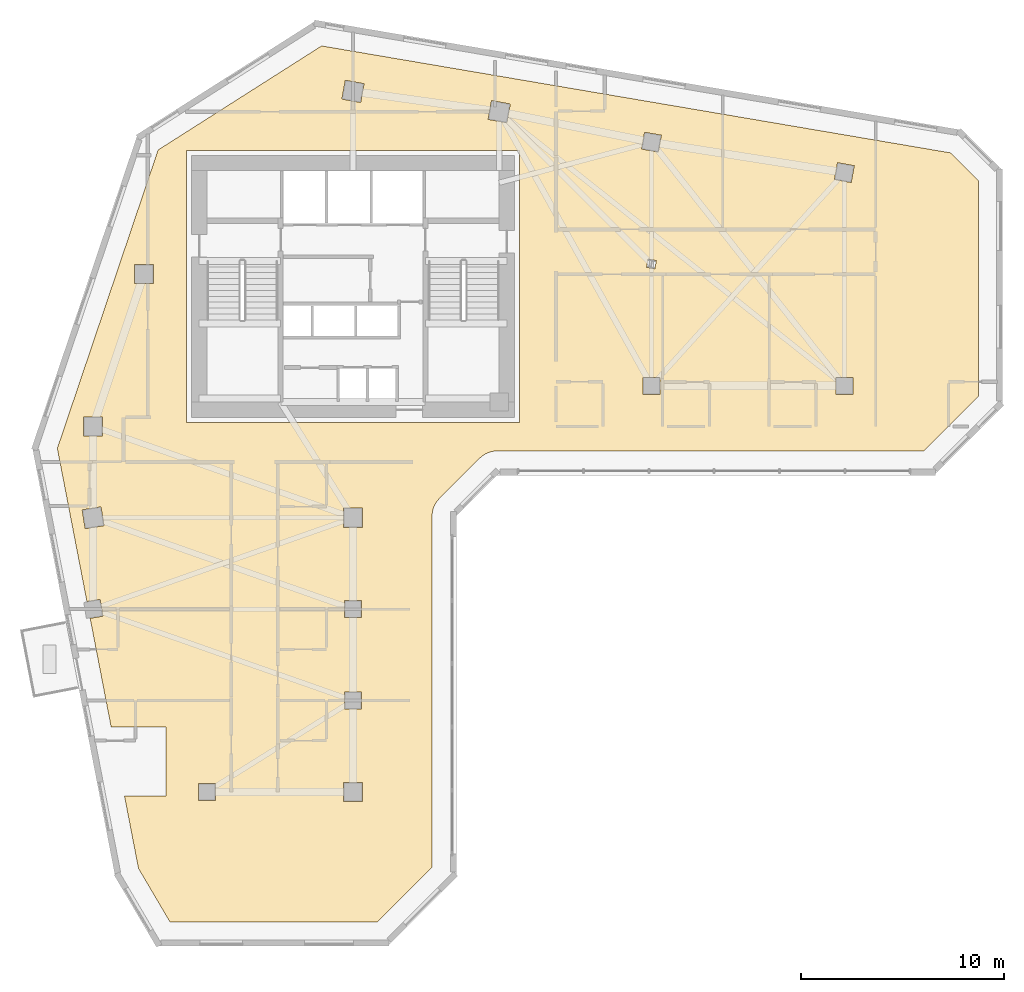
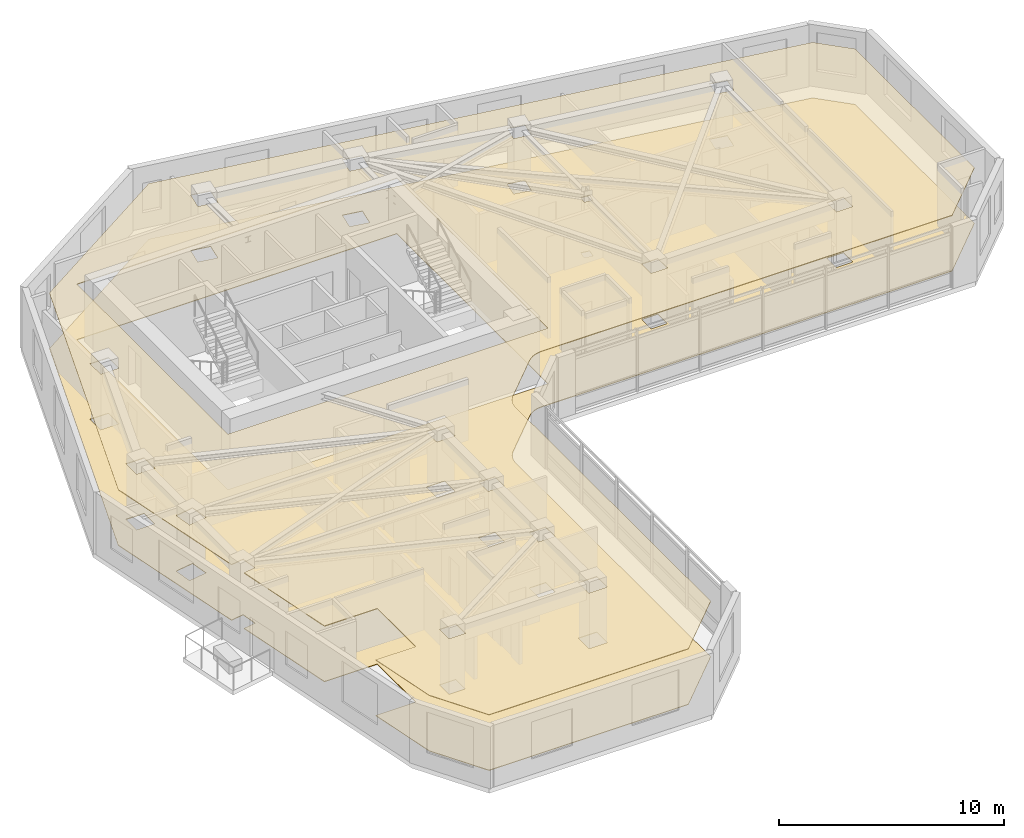
# One storey, part 11 of 12: 2 coverings.
"""IFC4 building model written with IfcOpenShell, lengths in metres."""

from ifc_helpers import new_model, si_unit, direction, frame, origin, place, context, subcontext, project, spatial, polyline, outline, extrude, material, layer, layer_set, type_object, element, save


model = new_model("IFC4")

# Units and contexts
model_context = context("Model", 3, precision=1e-05, world=origin(), true_north=direction((0.0, 1.0)))
body_context = subcontext(model_context, "Body", "Model", "MODEL_VIEW")
ifc_project = project(units=[si_unit("LENGTHUNIT", "METRE"), si_unit("AREAUNIT", "SQUARE_METRE"), si_unit("VOLUMEUNIT", "CUBIC_METRE"), si_unit("PLANEANGLEUNIT", "RADIAN"), si_unit("MASSUNIT", "GRAM", prefix="KILO")], contexts=[model_context])

# Site, building, storey
site_placement = place(None, origin())
site = spatial("IfcSite", under=ifc_project, at=site_placement, CompositionType="ELEMENT")
building_placement = place(site_placement, origin())
building = spatial("IfcBuilding", under=site, at=building_placement, Name="Calvemar Wedge Station Tower", CompositionType="ELEMENT")
storey_placement = place(building_placement, frame((0.0, 0.0, 121.39990234375)))
storey = spatial("IfcBuildingStorey", under=building, at=storey_placement, Name="L29", CompositionType="ELEMENT", Elevation=121.39990234375)

# Coverings
ifc_material_1 = material(Name="Acoustic mineral fibre ceiling board")
ifc_layer_1 = layer(ifc_material_1, 0.0400390625)
ifc_layer_set_1 = layer_set([ifc_layer_1], Name="Acoustic mineral fibre ceiling board")
covering_type_1 = type_object("IfcCoveringType", Name="COV-CEIL-ACOUSTIC", PredefinedType="CEILING", material=ifc_layer_set_1)
covering_1_placement = place(storey_placement, frame((0.0, 0.0, 3.0)))
element("IfcCovering", 1, at=covering_1_placement, inside=storey, type_object=covering_type_1, Name="Storey L29 Acoustic Suspended Ceiling", PredefinedType="CEILING", context=body_context, shape_type="SweptSolid", body=[
    extrude(outline(polyline([(28.047607421875, 29.4404296875), (30.047607421875, 31.4404296875), (30.134765625, 31.51953125), (30.229248046875, 31.58984375), (30.330322265625, 31.650390625), (30.436767578125, 31.70068359375), (30.547607421875, 31.740234375), (30.661865234375, 31.768798828125), (30.7783203125, 31.7861328125), (30.89599609375, 31.7919921875), (51.90283203125, 31.7919921875), (54.60009765625, 34.489013671875), (54.60009765625, 45.094970703125), (53.221923828125, 46.47314453125), (22.25439453125, 51.739501953125), (14.201416015625, 46.614990234375), (9.23828125, 31.91650390625), (10.695068359375, 24.37646484375), (11.348388671875, 24.481201171875), (11.481201171875, 23.651611328125), (10.8544921875, 23.55126953125), (11.888427734375, 18.199951171875), (14.60009765625, 18.199951171875), (14.60009765625, 14.800048828125), (12.54541015625, 14.800048828125), (13.235107421875, 11.23046875), (14.7822265625, 8.60009765625), (24.998779296875, 8.60009765625), (27.696044921875, 11.297119140625), (27.696044921875, 28.592041015625), (27.701904296875, 28.709716796875), (27.718994140625, 28.826171875), (27.747802734375, 28.940185546875), (27.787353515625, 29.05126953125), (27.837646484375, 29.15771484375), (27.898193359375, 29.2587890625), (27.968505859375, 29.353271484375), (28.047607421875, 29.4404296875)]), holes=[polyline([(15.60009765625, 46.60009765625), (32.0, 46.60009765625), (32.0, 33.199951171875), (15.60009765625, 33.199951171875), (15.60009765625, 46.60009765625)]), polyline([(10.530029296875, 32.530029296875), (10.530029296875, 33.469970703125), (11.469970703125, 33.469970703125), (11.469970703125, 32.530029296875), (10.530029296875, 32.530029296875)]), polyline([(13.030029296875, 40.969970703125), (13.969970703125, 40.969970703125), (13.969970703125, 40.030029296875), (13.030029296875, 40.030029296875), (13.030029296875, 40.969970703125)]), polyline([(24.345703125, 49.87939453125), (24.17919921875, 48.9541015625), (23.254150390625, 49.12060546875), (23.420654296875, 50.0458984375), (24.345703125, 49.87939453125)]), polyline([(31.37939453125, 47.9541015625), (30.4541015625, 48.12060546875), (30.62060546875, 49.0458984375), (31.5458984375, 48.87939453125), (31.37939453125, 47.9541015625)]), polyline([(38.01220703125, 46.660888671875), (38.160888671875, 47.48779296875), (38.98779296875, 47.339111328125), (38.839111328125, 46.51220703125), (38.01220703125, 46.660888671875)]), polyline([(47.660888671875, 45.98779296875), (48.48779296875, 45.839111328125), (48.339111328125, 45.01220703125), (47.51220703125, 45.160888671875), (47.660888671875, 45.98779296875)]), polyline([(38.919921875, 35.419921875), (38.919921875, 34.580078125), (38.080078125, 34.580078125), (38.080078125, 35.419921875), (38.919921875, 35.419921875)]), polyline([(48.419921875, 34.580078125), (47.580078125, 34.580078125), (47.580078125, 35.419921875), (48.419921875, 35.419921875), (48.419921875, 34.580078125)]), polyline([(38.259765625, 40.833984375), (38.332763671875, 41.239501953125), (38.740234375, 41.166015625), (38.667236328125, 40.760498046875), (38.259765625, 40.833984375)]), polyline([(11.389892578125, 29.038330078125), (11.538330078125, 28.110107421875), (10.610107421875, 27.961669921875), (10.461669921875, 28.889892578125), (11.389892578125, 29.038330078125)]), polyline([(24.27001953125, 28.030029296875), (23.330078125, 28.030029296875), (23.330078125, 28.969970703125), (24.27001953125, 28.969970703125), (24.27001953125, 28.030029296875)]), polyline([(23.3798828125, 23.580078125), (23.3798828125, 24.419921875), (24.219970703125, 24.419921875), (24.219970703125, 23.580078125), (23.3798828125, 23.580078125)]), polyline([(23.3798828125, 19.919921875), (24.219970703125, 19.919921875), (24.219970703125, 19.080078125), (23.3798828125, 19.080078125), (23.3798828125, 19.919921875)]), polyline([(24.27001953125, 15.469970703125), (24.27001953125, 14.530029296875), (23.330078125, 14.530029296875), (23.330078125, 15.469970703125), (24.27001953125, 15.469970703125)]), polyline([(17.02001953125, 14.580078125), (16.179931640625, 14.580078125), (16.179931640625, 15.419921875), (17.02001953125, 15.419921875), (17.02001953125, 14.580078125)])]), origin(), (0.0, 0.0, 1.0), 0.0400390625),
])
ifc_material_2 = material(Name="Honed coastal granite stone tile", Category="masonry")
ifc_layer_2 = layer(ifc_material_2, 0.030029296875)
ifc_layer_set_2 = layer_set([ifc_layer_2], Name="Honed coastal granite stone tile")
covering_type_2 = type_object("IfcCoveringType", Name="COV-FLR-STONE", PredefinedType="FLOORING", material=ifc_layer_set_2)
covering_2_placement = place(storey_placement, origin())
element("IfcCovering", 2, at=covering_2_placement, inside=storey, type_object=covering_type_2, Name="Storey L29 Architectural Floor Finish", PredefinedType="FLOORING", context=body_context, shape_type="SweptSolid", body=[
    extrude(outline(polyline([(28.047607421875, 29.4404296875), (30.047607421875, 31.4404296875), (30.134765625, 31.51953125), (30.229248046875, 31.58984375), (30.330322265625, 31.650390625), (30.436767578125, 31.70068359375), (30.547607421875, 31.740234375), (30.661865234375, 31.768798828125), (30.7783203125, 31.7861328125), (30.89599609375, 31.7919921875), (51.90283203125, 31.7919921875), (54.60009765625, 34.489013671875), (54.60009765625, 45.094970703125), (53.221923828125, 46.47314453125), (22.25439453125, 51.739501953125), (14.201416015625, 46.614990234375), (9.23828125, 31.91650390625), (10.695068359375, 24.37646484375), (11.348388671875, 24.481201171875), (11.481201171875, 23.651611328125), (10.8544921875, 23.55126953125), (11.888427734375, 18.199951171875), (14.60009765625, 18.199951171875), (14.60009765625, 14.800048828125), (12.54541015625, 14.800048828125), (13.235107421875, 11.23046875), (14.7822265625, 8.60009765625), (24.998779296875, 8.60009765625), (27.696044921875, 11.297119140625), (27.696044921875, 28.592041015625), (27.701904296875, 28.709716796875), (27.718994140625, 28.826171875), (27.747802734375, 28.940185546875), (27.787353515625, 29.05126953125), (27.837646484375, 29.15771484375), (27.898193359375, 29.2587890625), (27.968505859375, 29.353271484375), (28.047607421875, 29.4404296875)]), holes=[polyline([(15.60009765625, 46.60009765625), (32.0, 46.60009765625), (32.0, 33.199951171875), (15.60009765625, 33.199951171875), (15.60009765625, 46.60009765625)]), polyline([(10.530029296875, 32.530029296875), (10.530029296875, 33.469970703125), (11.469970703125, 33.469970703125), (11.469970703125, 32.530029296875), (10.530029296875, 32.530029296875)]), polyline([(13.030029296875, 40.969970703125), (13.969970703125, 40.969970703125), (13.969970703125, 40.030029296875), (13.030029296875, 40.030029296875), (13.030029296875, 40.969970703125)]), polyline([(24.345703125, 49.87939453125), (24.17919921875, 48.9541015625), (23.254150390625, 49.12060546875), (23.420654296875, 50.0458984375), (24.345703125, 49.87939453125)]), polyline([(31.37939453125, 47.9541015625), (30.4541015625, 48.12060546875), (30.62060546875, 49.0458984375), (31.5458984375, 48.87939453125), (31.37939453125, 47.9541015625)]), polyline([(38.01220703125, 46.660888671875), (38.160888671875, 47.48779296875), (38.98779296875, 47.339111328125), (38.839111328125, 46.51220703125), (38.01220703125, 46.660888671875)]), polyline([(47.660888671875, 45.98779296875), (48.48779296875, 45.839111328125), (48.339111328125, 45.01220703125), (47.51220703125, 45.160888671875), (47.660888671875, 45.98779296875)]), polyline([(38.919921875, 35.419921875), (38.919921875, 34.580078125), (38.080078125, 34.580078125), (38.080078125, 35.419921875), (38.919921875, 35.419921875)]), polyline([(48.419921875, 34.580078125), (47.580078125, 34.580078125), (47.580078125, 35.419921875), (48.419921875, 35.419921875), (48.419921875, 34.580078125)]), polyline([(38.259765625, 40.833984375), (38.332763671875, 41.239501953125), (38.740234375, 41.166015625), (38.667236328125, 40.760498046875), (38.259765625, 40.833984375)]), polyline([(11.389892578125, 29.038330078125), (11.538330078125, 28.110107421875), (10.610107421875, 27.961669921875), (10.461669921875, 28.889892578125), (11.389892578125, 29.038330078125)]), polyline([(24.27001953125, 28.030029296875), (23.330078125, 28.030029296875), (23.330078125, 28.969970703125), (24.27001953125, 28.969970703125), (24.27001953125, 28.030029296875)]), polyline([(23.3798828125, 23.580078125), (23.3798828125, 24.419921875), (24.219970703125, 24.419921875), (24.219970703125, 23.580078125), (23.3798828125, 23.580078125)]), polyline([(23.3798828125, 19.919921875), (24.219970703125, 19.919921875), (24.219970703125, 19.080078125), (23.3798828125, 19.080078125), (23.3798828125, 19.919921875)]), polyline([(24.27001953125, 15.469970703125), (24.27001953125, 14.530029296875), (23.330078125, 14.530029296875), (23.330078125, 15.469970703125), (24.27001953125, 15.469970703125)]), polyline([(17.02001953125, 14.580078125), (16.179931640625, 14.580078125), (16.179931640625, 15.419921875), (17.02001953125, 15.419921875), (17.02001953125, 14.580078125)])]), origin(), (0.0, 0.0, 1.0), 0.030029296875),
])

save(model, "model.ifc")
